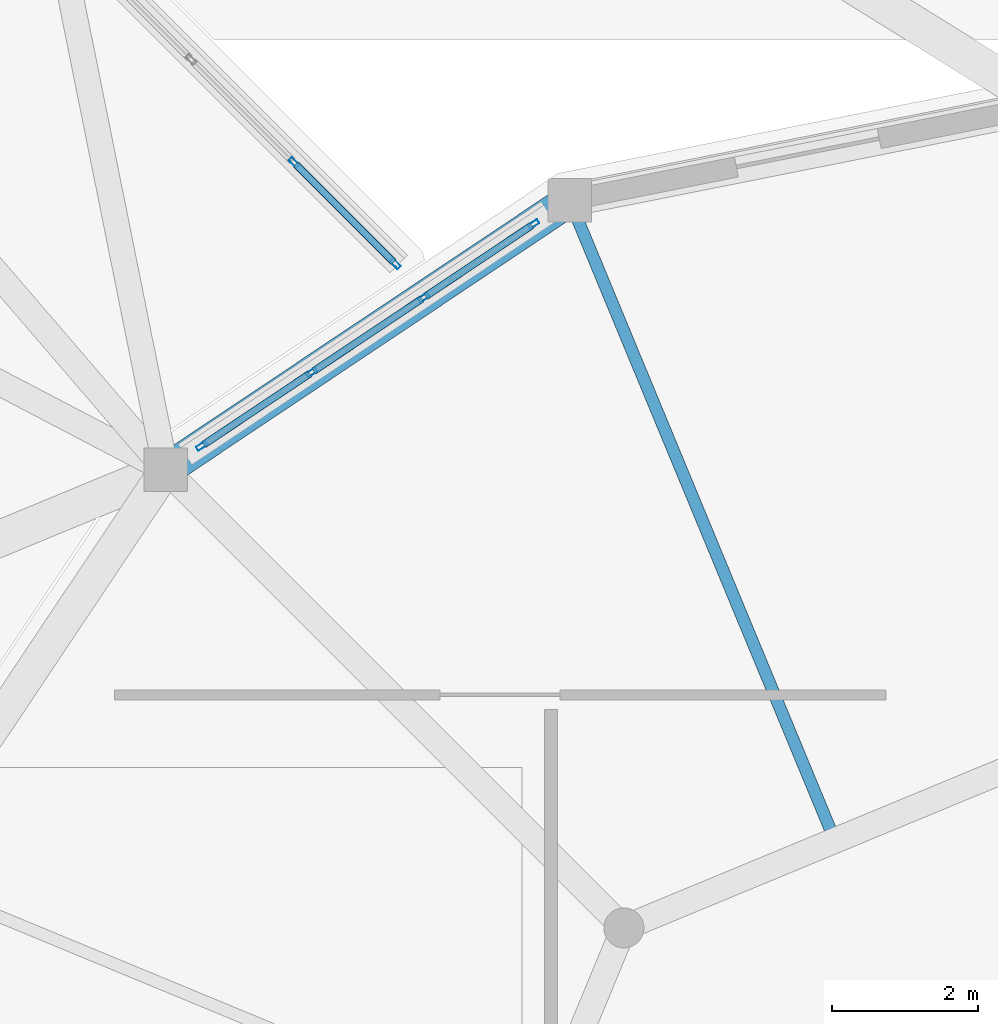
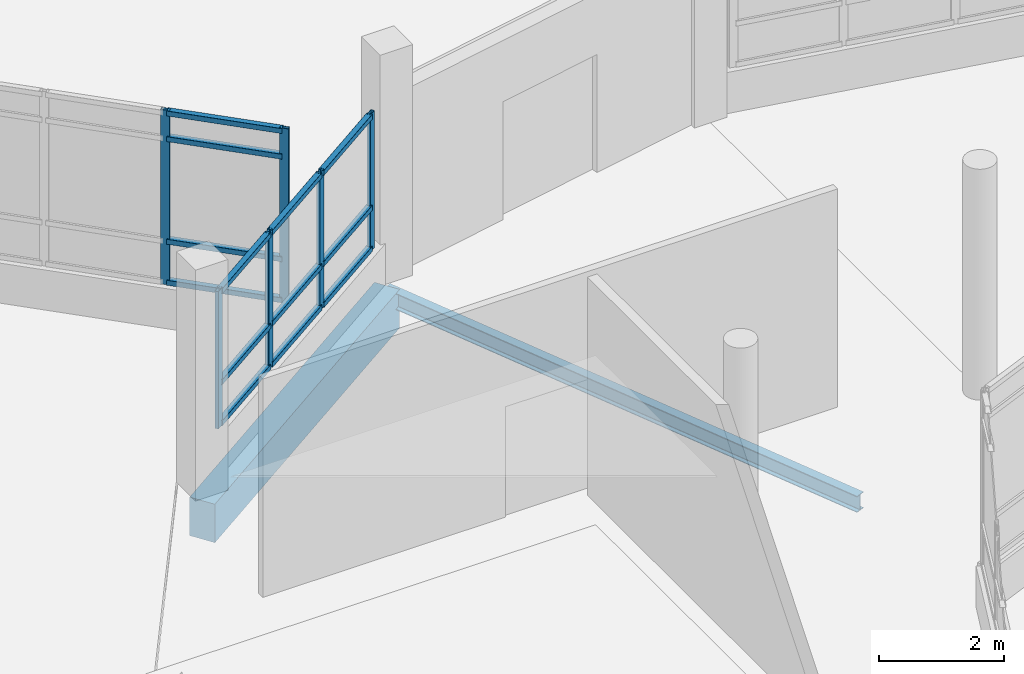
# One storey, part 78 of 129: 19 members, 2 beams, 2 elements without a shape of their own.
"""IFC4 building model written with IfcOpenShell, lengths in metres."""

from ifc_helpers import new_model, si_unit, direction, frame, origin, origin_2d, place, context, subcontext, project, spatial, rectangle, hollow_rectangle, i_section, extrude, material, layer, layer_set, material_profile, profile_set, type_object, element, aggregate, save


model = new_model("IFC4")

# Units and contexts
model_context = context("Model", 3, precision=1e-05, world=origin(), true_north=direction((0.0, 1.0)))
body_context = subcontext(model_context, "Body", "Model", "MODEL_VIEW")
ifc_project = project(units=[si_unit("LENGTHUNIT", "METRE"), si_unit("AREAUNIT", "SQUARE_METRE"), si_unit("VOLUMEUNIT", "CUBIC_METRE"), si_unit("PLANEANGLEUNIT", "RADIAN"), si_unit("MASSUNIT", "GRAM", prefix="KILO")], contexts=[model_context])

# Site, building, storey
site_placement = place(None, origin())
site = spatial("IfcSite", under=ifc_project, at=site_placement, CompositionType="ELEMENT")
building_placement = place(site_placement, origin())
building = spatial("IfcBuilding", under=site, at=building_placement, Name="Vespera Passage Community Centre", CompositionType="ELEMENT")
storey_placement = place(building_placement, origin())
storey = spatial("IfcBuildingStorey", under=building, at=storey_placement, Name="L00", CompositionType="ELEMENT", Elevation=0.0)

# Beams
ifc_material_1 = material(Name="Steel ASTM A992 Grade 50", Category="steel")
ifc_material_profile_1 = material_profile(ifc_material_1, i_section(OverallWidth=0.16650390625, OverallDepth=0.3173828125, WebThickness=0.007568359375, FlangeThickness=0.01318359375, FilletRadius=0.007568359375, at=origin_2d()), Name="W12X35")
ifc_profile_set_1 = profile_set([ifc_material_profile_1], Name="Steel ASTM A992 Grade 50")
beam_type_1 = type_object("IfcBeamType", Name="BM-J-W12X35", PredefinedType="JOIST", material=ifc_profile_set_1)
beam_1_placement = place(storey_placement, frame((138.100830078125, 31.999267578125, -0.438720703125), z_axis=(-0.382690630849, 0.923876550769, 0.0), x_axis=(-0.923876550769, -0.382690630849, 0.0)))
element("IfcBeam", 1, at=beam_1_placement, inside=storey, type_object=beam_type_1, Name="V3 L00 Secondary Joist 3", PredefinedType="JOIST", context=body_context, shape_type="SweptSolid", body=[
    extrude(i_section(OverallWidth=0.16650390625, OverallDepth=0.3173828125, WebThickness=0.007568359375, FlangeThickness=0.01318359375, FilletRadius=0.007568359375, at=origin_2d()), origin(), (0.0, 0.0, 1.0), 9.524169921875),
])
ifc_material_2 = material(Name="Concrete f'c 35 MPa", Category="concrete")
ifc_material_profile_2 = material_profile(ifc_material_2, rectangle(XDim=0.449951171875, YDim=0.75, at=origin_2d()), Name="RC450X750")
ifc_profile_set_2 = profile_set([ifc_material_profile_2], Name="Concrete f'c 35 MPa")
beam_type_2 = type_object("IfcBeamType", Name="BM-SP-450X750E", PredefinedType="SPANDREL", material=ifc_profile_set_2)
beam_2_placement = place(storey_placement, frame((134.4560546875, 40.79833984375, -0.655029296875), z_axis=(-0.831470004276, -0.55556964639, 0.0), x_axis=(0.55556964639, -0.831470004276, 0.0)))
element("IfcBeam", 2, at=beam_2_placement, inside=storey, type_object=beam_type_2, Name="V3 L00 Spandrel 6", PredefinedType="SPANDREL", context=body_context, shape_type="SweptSolid", body=[
    extrude(rectangle(XDim=0.449951171875, YDim=0.75, at=origin_2d()), origin(), (0.0, 0.0, 1.0), 6.672119140625),
])

# Curtain wall, members
ifc_material_3 = material(Name="Anodized aluminium 6063-T6", Category="aluminium")
ifc_layer_1 = layer(ifc_material_3, 0.159912109375)
ifc_layer_set_1 = layer_set([ifc_layer_1], Name="Anodized aluminium 6063-T6")
curtain_wall_type_1 = type_object("IfcCurtainWallType", Name="CW-102E", PredefinedType="NOTDEFINED", material=ifc_layer_set_1)
curtain_wall_1_placement = place(storey_placement, origin())
curtain_wall_1 = element("IfcCurtainWall", 3, at=curtain_wall_1_placement, inside=storey, type_object=curtain_wall_type_1, Name="Dining Drum Ribbon Curtain Wall L00.6", PredefinedType="NOTDEFINED")
ifc_material_4 = material(Name="Anodized aluminium 6063-T6", Category="aluminium")
ifc_material_profile_3 = material_profile(ifc_material_4, hollow_rectangle(XDim=0.06494140625, YDim=0.14990234375, WallThickness=0.00390625, InnerFilletRadius=0.001953125, OuterFilletRadius=0.00390625, at=origin_2d()), Name="ALU150X65X4")
ifc_profile_set_3 = profile_set([ifc_material_profile_3], Name="Anodized aluminium 6063-T6")
member_type_1 = type_object("IfcMemberType", Name="MB-CWM-150E", PredefinedType="MULLION", material=ifc_profile_set_3)
member_1_placement = place(storey_placement, frame((129.40185546875, 37.421142578125, 0.800048828125), z_axis=(0.0, 0.0, 1.0), x_axis=(-0.555564700918, 0.831473308708, 0.0)))
member_1 = element("IfcMember", 4, at=member_1_placement, type_object=member_type_1, Name="CW-102E mullion 1", PredefinedType="MULLION", context=body_context, shape_type="SweptSolid", body=[
    extrude(hollow_rectangle(XDim=0.06494140625, YDim=0.14990234375, WallThickness=0.00390625, InnerFilletRadius=0.001953125, OuterFilletRadius=0.00390625, at=origin_2d()), origin(), (0.0, 0.0, 1.0), 2.675048828125),
])
member_2_placement = place(storey_placement, frame((130.9130859375, 38.430908203125, 0.800048828125), z_axis=(0.0, 0.0, 1.0), x_axis=(-0.555564700918, 0.831473308708, 0.0)))
member_2 = element("IfcMember", 5, at=member_2_placement, type_object=member_type_1, Name="CW-102E mullion 2", PredefinedType="MULLION", context=body_context, shape_type="SweptSolid", body=[
    extrude(hollow_rectangle(XDim=0.06494140625, YDim=0.14990234375, WallThickness=0.00390625, InnerFilletRadius=0.001953125, OuterFilletRadius=0.00390625, at=origin_2d()), origin(), (0.0, 0.0, 1.0), 2.675048828125),
])
member_3_placement = place(storey_placement, frame((132.451416015625, 39.458740234375, 0.800048828125), z_axis=(0.0, 0.0, 1.0), x_axis=(-0.555564700918, 0.831473308708, 0.0)))
member_3 = element("IfcMember", 6, at=member_3_placement, type_object=member_type_1, Name="CW-102E mullion 3", PredefinedType="MULLION", context=body_context, shape_type="SweptSolid", body=[
    extrude(hollow_rectangle(XDim=0.06494140625, YDim=0.14990234375, WallThickness=0.00390625, InnerFilletRadius=0.001953125, OuterFilletRadius=0.00390625, at=origin_2d()), origin(), (0.0, 0.0, 1.0), 2.675048828125),
])
member_4_placement = place(storey_placement, frame((133.962890625, 40.46875, 0.800048828125), z_axis=(0.0, 0.0, 1.0), x_axis=(-0.555564700918, 0.831473308708, 0.0)))
member_4 = element("IfcMember", 7, at=member_4_placement, type_object=member_type_1, Name="CW-102E mullion 4", PredefinedType="MULLION", context=body_context, shape_type="SweptSolid", body=[
    extrude(hollow_rectangle(XDim=0.06494140625, YDim=0.14990234375, WallThickness=0.00390625, InnerFilletRadius=0.001953125, OuterFilletRadius=0.00390625, at=origin_2d()), origin(), (0.0, 0.0, 1.0), 2.675048828125),
])

ifc_material_5 = material(Name="Anodized aluminium 6063-T6", Category="aluminium")
ifc_layer_2 = layer(ifc_material_5, 0.159912109375)
ifc_layer_set_2 = layer_set([ifc_layer_2], Name="Anodized aluminium 6063-T6")
curtain_wall_type_2 = type_object("IfcCurtainWallType", Name="CW-111E", PredefinedType="NOTDEFINED", material=ifc_layer_set_2)
curtain_wall_2_placement = place(storey_placement, origin())
curtain_wall_2 = element("IfcCurtainWall", 8, at=curtain_wall_2_placement, inside=storey, type_object=curtain_wall_type_2, Name="Passage Espresso Cafe Ribbon Curtain Wall 2", PredefinedType="NOTDEFINED")
member_5_placement = place(storey_placement, frame((130.670654296875, 41.314453125, 0.780029296875), z_axis=(0.0, 0.0, 1.0), x_axis=(0.707106781187, 0.707106781187, 0.0)))
member_5 = element("IfcMember", 9, at=member_5_placement, type_object=member_type_1, Name="CW-111E mullion 3", PredefinedType="MULLION", context=body_context, shape_type="SweptSolid", body=[
    extrude(hollow_rectangle(XDim=0.06494140625, YDim=0.14990234375, WallThickness=0.00390625, InnerFilletRadius=0.001953125, OuterFilletRadius=0.00390625, at=origin_2d()), origin(), (0.0, 0.0, 1.0), 3.39990234375),
])
member_6_placement = place(storey_placement, frame((132.06201171875, 39.923095703125, 0.780029296875), z_axis=(0.0, 0.0, 1.0), x_axis=(0.707106781187, 0.707106781187, 0.0)))
member_6 = element("IfcMember", 10, at=member_6_placement, type_object=member_type_1, Name="CW-111E mullion 4", PredefinedType="MULLION", context=body_context, shape_type="SweptSolid", body=[
    extrude(hollow_rectangle(XDim=0.06494140625, YDim=0.14990234375, WallThickness=0.00390625, InnerFilletRadius=0.001953125, OuterFilletRadius=0.00390625, at=origin_2d()), origin(), (0.0, 0.0, 1.0), 3.39990234375),
])

# Member
ifc_material_6 = material(Name="Anodized aluminium 6063-T6", Category="aluminium")
ifc_material_profile_4 = material_profile(ifc_material_6, hollow_rectangle(XDim=0.10009765625, YDim=0.10009765625, WallThickness=0.00390625, InnerFilletRadius=0.001953125, OuterFilletRadius=0.00390625, at=origin_2d()), Name="ALU100X100X4")
ifc_profile_set_4 = profile_set([ifc_material_profile_4], Name="Anodized aluminium 6063-T6")
member_type_2 = type_object("IfcMemberType", Name="MB-CWT-100E", PredefinedType="USERDEFINED", material=ifc_profile_set_4)
member_7_placement = place(storey_placement, frame((129.428955078125, 37.439208984375, 0.85009765625), z_axis=(0.831492667194, 0.555535727386, 0.0), x_axis=(-0.555535727386, 0.831492667194, 0.0)))
member_7 = element("IfcMember", 11, at=member_7_placement, type_object=member_type_2, Name="CW-102E transom 1.1", ObjectType="TRANSOM", PredefinedType="USERDEFINED", context=body_context, shape_type="SweptSolid", body=[
    extrude(hollow_rectangle(XDim=0.10009765625, YDim=0.10009765625, WallThickness=0.00390625, InnerFilletRadius=0.001953125, OuterFilletRadius=0.00390625, at=origin_2d()), origin(), (0.0, 0.0, 1.0), 1.752685546875),
])

member_8_placement = place(storey_placement, frame((129.428955078125, 37.439208984375, 1.64990234375), z_axis=(0.831492667194, 0.555535727386, 0.0), x_axis=(-0.555535727386, 0.831492667194, 0.0)))
member_8 = element("IfcMember", 12, at=member_8_placement, type_object=member_type_2, Name="CW-102E transom 1.2", ObjectType="TRANSOM", PredefinedType="USERDEFINED", context=body_context, shape_type="SweptSolid", body=[
    extrude(hollow_rectangle(XDim=0.10009765625, YDim=0.10009765625, WallThickness=0.00390625, InnerFilletRadius=0.001953125, OuterFilletRadius=0.00390625, at=origin_2d()), origin(), (0.0, 0.0, 1.0), 1.752685546875),
])

member_9_placement = place(storey_placement, frame((129.428955078125, 37.439208984375, 3.425048828125), z_axis=(0.831492667194, 0.555535727386, 0.0), x_axis=(-0.555535727386, 0.831492667194, 0.0)))
member_9 = element("IfcMember", 13, at=member_9_placement, type_object=member_type_2, Name="CW-102E transom 1.3", ObjectType="TRANSOM", PredefinedType="USERDEFINED", context=body_context, shape_type="SweptSolid", body=[
    extrude(hollow_rectangle(XDim=0.10009765625, YDim=0.10009765625, WallThickness=0.00390625, InnerFilletRadius=0.001953125, OuterFilletRadius=0.00390625, at=origin_2d()), origin(), (0.0, 0.0, 1.0), 1.752685546875),
])

member_10_placement = place(storey_placement, frame((130.940185546875, 38.448974609375, 0.85009765625), z_axis=(0.831502848374, 0.555520488502, 0.0), x_axis=(-0.555520488502, 0.831502848374, 0.0)))
member_10 = element("IfcMember", 14, at=member_10_placement, type_object=member_type_2, Name="CW-102E transom 2.1", ObjectType="TRANSOM", PredefinedType="USERDEFINED", context=body_context, shape_type="SweptSolid", body=[
    extrude(hollow_rectangle(XDim=0.10009765625, YDim=0.10009765625, WallThickness=0.00390625, InnerFilletRadius=0.001953125, OuterFilletRadius=0.00390625, at=origin_2d()), origin(), (0.0, 0.0, 1.0), 1.78515625),
])

member_11_placement = place(storey_placement, frame((130.940185546875, 38.448974609375, 1.64990234375), z_axis=(0.831502848374, 0.555520488502, 0.0), x_axis=(-0.555520488502, 0.831502848374, 0.0)))
member_11 = element("IfcMember", 15, at=member_11_placement, type_object=member_type_2, Name="CW-102E transom 2.2", ObjectType="TRANSOM", PredefinedType="USERDEFINED", context=body_context, shape_type="SweptSolid", body=[
    extrude(hollow_rectangle(XDim=0.10009765625, YDim=0.10009765625, WallThickness=0.00390625, InnerFilletRadius=0.001953125, OuterFilletRadius=0.00390625, at=origin_2d()), origin(), (0.0, 0.0, 1.0), 1.78515625),
])

member_12_placement = place(storey_placement, frame((130.940185546875, 38.448974609375, 3.425048828125), z_axis=(0.831502848374, 0.555520488502, 0.0), x_axis=(-0.555520488502, 0.831502848374, 0.0)))
member_12 = element("IfcMember", 16, at=member_12_placement, type_object=member_type_2, Name="CW-102E transom 2.3", ObjectType="TRANSOM", PredefinedType="USERDEFINED", context=body_context, shape_type="SweptSolid", body=[
    extrude(hollow_rectangle(XDim=0.10009765625, YDim=0.10009765625, WallThickness=0.00390625, InnerFilletRadius=0.001953125, OuterFilletRadius=0.00390625, at=origin_2d()), origin(), (0.0, 0.0, 1.0), 1.78515625),
])

member_13_placement = place(storey_placement, frame((132.478515625, 39.476806640625, 0.85009765625), z_axis=(0.831428319751, 0.555632026719, 0.0), x_axis=(-0.555632026719, 0.831428319751, 0.0)))
member_13 = element("IfcMember", 17, at=member_13_placement, type_object=member_type_2, Name="CW-102E transom 3.1", ObjectType="TRANSOM", PredefinedType="USERDEFINED", context=body_context, shape_type="SweptSolid", body=[
    extrude(hollow_rectangle(XDim=0.10009765625, YDim=0.10009765625, WallThickness=0.00390625, InnerFilletRadius=0.001953125, OuterFilletRadius=0.00390625, at=origin_2d()), origin(), (0.0, 0.0, 1.0), 1.752685546875),
])

member_14_placement = place(storey_placement, frame((132.478515625, 39.476806640625, 1.64990234375), z_axis=(0.831428319751, 0.555632026719, 0.0), x_axis=(-0.555632026719, 0.831428319751, 0.0)))
member_14 = element("IfcMember", 18, at=member_14_placement, type_object=member_type_2, Name="CW-102E transom 3.2", ObjectType="TRANSOM", PredefinedType="USERDEFINED", context=body_context, shape_type="SweptSolid", body=[
    extrude(hollow_rectangle(XDim=0.10009765625, YDim=0.10009765625, WallThickness=0.00390625, InnerFilletRadius=0.001953125, OuterFilletRadius=0.00390625, at=origin_2d()), origin(), (0.0, 0.0, 1.0), 1.752685546875),
])

member_15_placement = place(storey_placement, frame((132.478515625, 39.476806640625, 3.425048828125), z_axis=(0.831428319751, 0.555632026719, 0.0), x_axis=(-0.555632026719, 0.831428319751, 0.0)))
member_15 = element("IfcMember", 19, at=member_15_placement, type_object=member_type_2, Name="CW-102E transom 3.3", ObjectType="TRANSOM", PredefinedType="USERDEFINED", context=body_context, shape_type="SweptSolid", body=[
    extrude(hollow_rectangle(XDim=0.10009765625, YDim=0.10009765625, WallThickness=0.00390625, InnerFilletRadius=0.001953125, OuterFilletRadius=0.00390625, at=origin_2d()), origin(), (0.0, 0.0, 1.0), 1.752685546875),
])

aggregate(curtain_wall_1, [member_1, member_2, member_3, member_4, member_7, member_8, member_9, member_10, member_11, member_12, member_13, member_14, member_15])

member_16_placement = place(storey_placement, frame((130.693603515625, 41.29150390625, 0.830078125), z_axis=(0.707106781187, -0.707106781187, 0.0), x_axis=(0.707106781187, 0.707106781187, 0.0)))
member_16 = element("IfcMember", 20, at=member_16_placement, type_object=member_type_2, Name="CW-111E transom 3.1", ObjectType="TRANSOM", PredefinedType="USERDEFINED", context=body_context, shape_type="SweptSolid", body=[
    extrude(hollow_rectangle(XDim=0.10009765625, YDim=0.10009765625, WallThickness=0.00390625, InnerFilletRadius=0.001953125, OuterFilletRadius=0.00390625, at=origin_2d()), origin(), (0.0, 0.0, 1.0), 1.90283203125),
])

member_17_placement = place(storey_placement, frame((130.693603515625, 41.29150390625, 1.6298828125), z_axis=(0.707106781187, -0.707106781187, 0.0), x_axis=(0.707106781187, 0.707106781187, 0.0)))
member_17 = element("IfcMember", 21, at=member_17_placement, type_object=member_type_2, Name="CW-111E transom 3.2", ObjectType="TRANSOM", PredefinedType="USERDEFINED", context=body_context, shape_type="SweptSolid", body=[
    extrude(hollow_rectangle(XDim=0.10009765625, YDim=0.10009765625, WallThickness=0.00390625, InnerFilletRadius=0.001953125, OuterFilletRadius=0.00390625, at=origin_2d()), origin(), (0.0, 0.0, 1.0), 1.90283203125),
])

member_18_placement = place(storey_placement, frame((130.693603515625, 41.29150390625, 3.6298828125), z_axis=(0.707106781187, -0.707106781187, 0.0), x_axis=(0.707106781187, 0.707106781187, 0.0)))
member_18 = element("IfcMember", 22, at=member_18_placement, type_object=member_type_2, Name="CW-111E transom 3.3", ObjectType="TRANSOM", PredefinedType="USERDEFINED", context=body_context, shape_type="SweptSolid", body=[
    extrude(hollow_rectangle(XDim=0.10009765625, YDim=0.10009765625, WallThickness=0.00390625, InnerFilletRadius=0.001953125, OuterFilletRadius=0.00390625, at=origin_2d()), origin(), (0.0, 0.0, 1.0), 1.90283203125),
])

member_19_placement = place(storey_placement, frame((130.693603515625, 41.29150390625, 4.1298828125), z_axis=(0.707106781187, -0.707106781187, 0.0), x_axis=(0.707106781187, 0.707106781187, 0.0)))
member_19 = element("IfcMember", 23, at=member_19_placement, type_object=member_type_2, Name="CW-111E transom 3.4", ObjectType="TRANSOM", PredefinedType="USERDEFINED", context=body_context, shape_type="SweptSolid", body=[
    extrude(hollow_rectangle(XDim=0.10009765625, YDim=0.10009765625, WallThickness=0.00390625, InnerFilletRadius=0.001953125, OuterFilletRadius=0.00390625, at=origin_2d()), origin(), (0.0, 0.0, 1.0), 1.90283203125),
])

aggregate(curtain_wall_2, [member_5, member_6, member_16, member_17, member_18, member_19])

save(model, "model.ifc")
